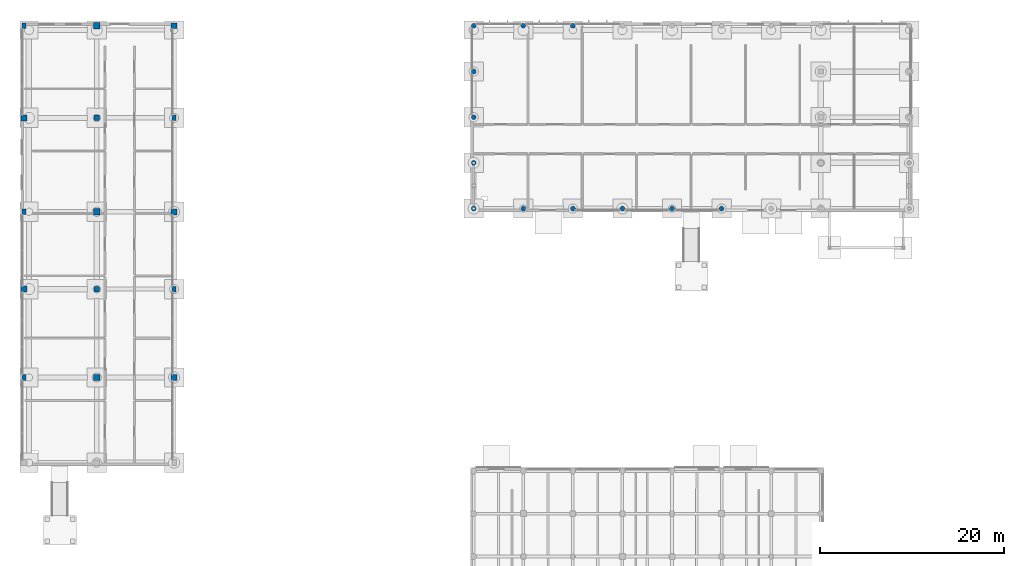
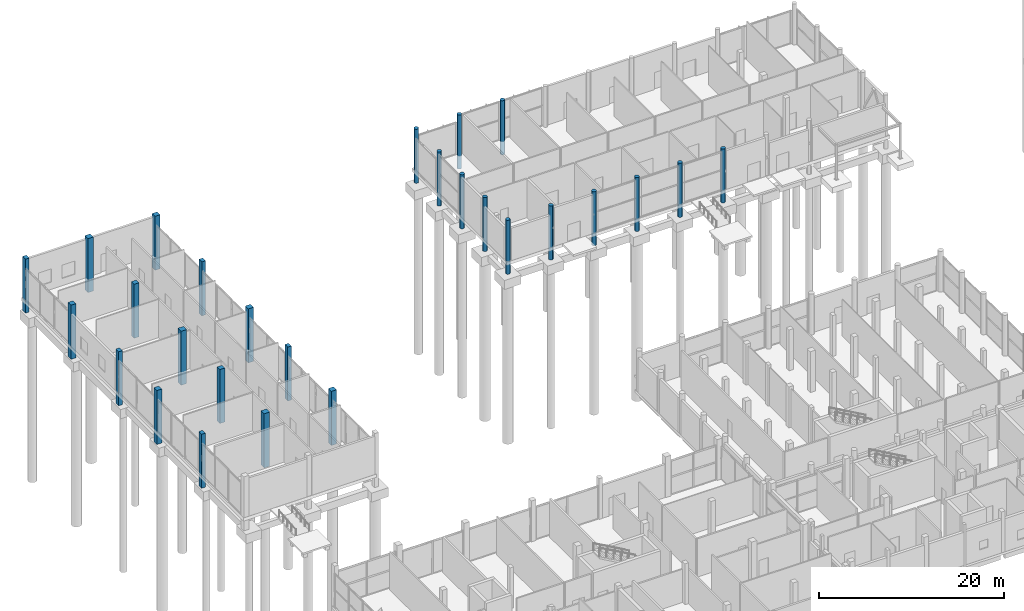
# One storey, part 10 of 88: 27 columns.
"""IFC4 building model written with IfcOpenShell, lengths in metres."""

import ifcopenshell
import ifcopenshell.guid

model = None  # the IFC model being written
_history = None  # IfcOwnerHistory: only IFC2X3 demands one
_inside = {}  # id of a spatial element -> (the spatial element, [elements in it])
_under = {}  # id of a project, library or spatial element -> (it, [spatial elements below it])
_declared = {}  # id of a project -> (the project, [libraries it declares])
_typed = {}  # id of a type object -> (the type object, [elements of that type])
_made_of = {}  # id of a material, layer set ... -> (it, [elements and type objects made of it])


def new_model(schema):
    """Start an empty IFC model of exactly this schema.

    Asked for "IFC4X3", IfcOpenShell would pick the latest addendum, in which some entities
    have other attributes; the version numbers below select the first issue.
    IFC2X3 requires an IfcOwnerHistory on every rooted entity: one is made here for all.
    """
    global model, _history
    if schema == "IFC4X3":
        model = ifcopenshell.file(schema_version=(4, 3, 0, 0))
    else:
        model = ifcopenshell.file(schema=schema)
    _inside.clear()
    _under.clear()
    _declared.clear()
    _typed.clear()
    _made_of.clear()
    _history = None
    if model.schema == "IFC2X3":
        org = make("IfcOrganization", Name="unknown")
        user = make(
            "IfcPersonAndOrganization",
            ThePerson=make("IfcPerson", FamilyName="unknown"),
            TheOrganization=org,
        )
        app = make(
            "IfcApplication",
            ApplicationDeveloper=org,
            Version="unknown",
            ApplicationFullName="unknown",
            ApplicationIdentifier="unknown",
        )
        _history = make(
            "IfcOwnerHistory",
            OwningUser=user,
            OwningApplication=app,
            ChangeAction="ADDED",
            CreationDate=0,
        )
    return model


def make(cls, **values):
    """One entity of the class cls with the attributes given. An attribute that is None is left unset."""
    return model.create_entity(
        cls, **{name: value for name, value in values.items() if value is not None}
    )


def rooted(cls, **values):
    """An entity with a GlobalId (a new one), such as an element, a storey or a relation."""
    return make(cls, GlobalId=ifcopenshell.guid.new(), OwnerHistory=_history, **values)


def si_unit(unit_type, name, prefix=None):
    """IfcSIUnit, for example si_unit("LENGTHUNIT", "METRE", prefix="MILLI")."""
    return make("IfcSIUnit", UnitType=unit_type, Prefix=prefix, Name=name)


def assignment(units):
    """IfcUnitAssignment: the units of a project."""
    return None if units is None else make("IfcUnitAssignment", Units=units)


def point(xyz):
    """IfcCartesianPoint."""
    return None if xyz is None else make("IfcCartesianPoint", Coordinates=xyz)


def direction(xyz):
    """IfcDirection."""
    return None if xyz is None else make("IfcDirection", DirectionRatios=xyz)


def frame(location, z_axis=None, x_axis=None):
    """IfcAxis2Placement3D, a coordinate frame: its origin and axes. An axis left out is left unset."""
    return make(
        "IfcAxis2Placement3D",
        Location=point(location),
        Axis=direction(z_axis),
        RefDirection=direction(x_axis),
    )


def frame_2d(location, x_axis=None):
    """IfcAxis2Placement2D, a coordinate frame in the plane: its origin and x axis."""
    return make(
        "IfcAxis2Placement2D", Location=point(location), RefDirection=direction(x_axis)
    )


def origin():
    """The frame at (0, 0, 0) with its axes left unset."""
    return frame((0.0, 0.0, 0.0))


def origin_2d():
    """The frame at (0, 0) in the plane with its x axis left unset."""
    return frame_2d((0.0, 0.0))


def place(relative_to, where):
    """IfcLocalPlacement: puts the frame where relative to a parent placement (None: the world)."""
    return make(
        "IfcLocalPlacement", PlacementRelTo=relative_to, RelativePlacement=where
    )


def context(
    kind, dimensions, precision=None, world=None, true_north=None, identifier=None
):
    """IfcGeometricRepresentationContext, for example the 3D "Model" context."""
    return make(
        "IfcGeometricRepresentationContext",
        ContextIdentifier=identifier,
        ContextType=kind,
        CoordinateSpaceDimension=dimensions,
        Precision=precision,
        WorldCoordinateSystem=world,
        TrueNorth=true_north,
    )


def subcontext(parent, identifier, kind, view, scale=None):
    """IfcGeometricRepresentationSubContext, for example "Body" below "Model"."""
    return make(
        "IfcGeometricRepresentationSubContext",
        ContextIdentifier=identifier,
        ContextType=kind,
        ParentContext=parent,
        TargetScale=scale,
        TargetView=view,
    )


def project(units=None, contexts=None):
    """IfcProject with its units and contexts."""
    return rooted(
        "IfcProject",
        Name="project",
        RepresentationContexts=contexts,
        UnitsInContext=assignment(units),
    )


def spatial(cls, under=None, at=None, **own):
    """A site, building, storey or space (cls), placed at a placement, below another one or the project."""
    s = rooted(cls, ObjectPlacement=at, **own)
    if under is not None:
        _under.setdefault(under.id(), (under, []))[1].append(s)
    return s


def profile(cls, at=None, kind="AREA", **sizes):
    """A parametric profile (cls). Its sizes go by their IFC names, for example OverallWidth=200.0."""
    return make(cls, ProfileType=kind, Position=at, **sizes)


def rectangle(**sizes):
    """IfcRectangleProfileDef."""
    return profile("IfcRectangleProfileDef", **sizes)


def circle(**sizes):
    """IfcCircleProfileDef."""
    return profile("IfcCircleProfileDef", **sizes)


def extrude(swept, where, along, depth):
    """IfcExtrudedAreaSolid: the profile swept, set in the frame where, extruded along a direction by depth."""
    return make(
        "IfcExtrudedAreaSolid",
        SweptArea=swept,
        Position=where,
        ExtrudedDirection=direction(along),
        Depth=depth,
    )


def shape(context_of_items, identifier, shape_type, items):
    """IfcShapeRepresentation: the items that make up one representation, for example the "Body"."""
    return make(
        "IfcShapeRepresentation",
        ContextOfItems=context_of_items,
        RepresentationIdentifier=identifier,
        RepresentationType=shape_type,
        Items=items,
    )


def material(Name=None, Category=None):
    """IfcMaterial."""
    return make("IfcMaterial", Name=Name, Category=Category)


def material_profile(
    of_material, cross_section, Name=None, Category=None, Priority=None
):
    """IfcMaterialProfile: a cross section and its material."""
    return make(
        "IfcMaterialProfile",
        Name=Name,
        Material=of_material,
        Profile=cross_section,
        Priority=Priority,
        Category=Category,
    )


def profile_set(profiles, Name=None, composite=None):
    """IfcMaterialProfileSet."""
    return make(
        "IfcMaterialProfileSet",
        Name=Name,
        MaterialProfiles=profiles,
        CompositeProfile=composite,
    )


def made_of(thing, what):
    """Note that an element or type object is made of a material, layer set ...; save() writes the relation."""
    if what is not None:
        _made_of.setdefault(what.id(), (what, []))[1].append(thing)
    return thing


def type_object(cls, material=None, **own):
    """A type object (cls), such as IfcWallType, which elements share."""
    return made_of(rooted(cls, **own), material)


def element(
    cls,
    number,
    at=None,
    inside=None,
    cuts=None,
    type_object=None,
    material=None,
    context=None,
    identifier="Body",
    shape_type=None,
    held_by="IfcProductDefinitionShape",
    body=None,
    shapes=None,
    **own,
):
    """One element of the class cls, such as IfcWall. Its Tag is "e" and its number.

    at: its placement. inside: the storey or other place that contains it. cuts: it is an
    opening in that element (IfcRelVoidsElement). A single representation is given by context,
    identifier, shape_type and body (its items); several are given by shapes. held_by: the class
    of the entity that holds the representations. save() writes the other relations.
    """
    e = rooted(cls, Tag="e%d" % number, ObjectPlacement=at, **own)
    if body is not None:
        shapes = [shape(context, identifier, shape_type, body)]
    if shapes is not None:
        e.Representation = make(held_by, Representations=shapes)
    if inside is not None:
        _inside.setdefault(inside.id(), (inside, []))[1].append(e)
    if cuts is not None:
        rooted(
            "IfcRelVoidsElement", RelatingBuildingElement=cuts, RelatedOpeningElement=e
        )
    if type_object is not None:
        _typed.setdefault(type_object.id(), (type_object, []))[1].append(e)
    return made_of(e, material)


def aggregate(whole, parts):
    """IfcRelAggregates: a whole, such as a stair, and the parts it consists of."""
    return rooted("IfcRelAggregates", RelatingObject=whole, RelatedObjects=parts)


def save(model, path):
    """Write the relations noted so far, then the file.

    IfcRelAggregates (storeys below a building ...), IfcRelContainedInSpatialStructure (elements
    in a storey), IfcRelDefinesByType, IfcRelAssociatesMaterial and IfcRelDeclares: one each for
    every whole, place, type object, material and project.
    """
    for whole, parts in _under.values():
        aggregate(whole, parts)
    for where, things in _inside.values():
        rooted(
            "IfcRelContainedInSpatialStructure",
            RelatedElements=things,
            RelatingStructure=where,
        )
    for kind, things in _typed.values():
        rooted("IfcRelDefinesByType", RelatedObjects=things, RelatingType=kind)
    for what, things in _made_of.values():
        rooted("IfcRelAssociatesMaterial", RelatedObjects=things, RelatingMaterial=what)
    for by, libraries in _declared.values():
        rooted("IfcRelDeclares", RelatingContext=by, RelatedDefinitions=libraries)
    model.write(path)


model = new_model("IFC4")

# Units and contexts
model_context = context("Model", 3, precision=1e-05, world=origin(), true_north=direction((0.0, 1.0)))
body_context = subcontext(model_context, "Body", "Model", "MODEL_VIEW")
ifc_project = project(units=[si_unit("LENGTHUNIT", "METRE"), si_unit("AREAUNIT", "SQUARE_METRE"), si_unit("VOLUMEUNIT", "CUBIC_METRE"), si_unit("PLANEANGLEUNIT", "RADIAN"), si_unit("MASSUNIT", "GRAM", prefix="KILO")], contexts=[model_context])

# Site, building, storey
site_placement = place(None, origin())
site = spatial("IfcSite", under=ifc_project, at=site_placement, CompositionType="ELEMENT")
building_placement = place(site_placement, origin())
building = spatial("IfcBuilding", under=site, at=building_placement, Name="Birchvale Park Specialist Clinic", CompositionType="ELEMENT")
storey_placement = place(building_placement, origin())
storey = spatial("IfcBuildingStorey", under=building, at=storey_placement, Name="L00", CompositionType="ELEMENT", Elevation=0.0)

# Columns
ifc_material = material(Name="Concrete C40/50", Category="concrete")
ifc_material_profile_1 = material_profile(ifc_material, rectangle(XDim=0.679931640625, YDim=0.679931640625, at=origin_2d()), Name="RC-680x680")
ifc_profile_set_1 = profile_set([ifc_material_profile_1], Name="Concrete C40/50")
column_type_1 = type_object("IfcColumnType", Name="COL-EXT-C01", PredefinedType="COLUMN", material=ifc_profile_set_1)
column_placement = place(storey_placement, frame((11.199951171875, 111.39990234375, -1.75), z_axis=(0.0, 0.0, 1.0), x_axis=(1.0, 0.0, 0.0)))
element("IfcColumn", 1, at=column_placement, inside=storey, type_object=column_type_1, Name="V2 L00 column 24", PredefinedType="COLUMN", context=body_context, shape_type="SweptSolid", body=[
    extrude(rectangle(XDim=0.679931640625, YDim=0.679931640625, at=origin_2d()), origin(), (0.0, 0.0, 1.0), 7.14990234375),
])
ifc_material_profile_2 = material_profile(ifc_material, rectangle(XDim=0.6298828125, YDim=0.6298828125, at=origin_2d()), Name="RC-630x630")
ifc_profile_set_2 = profile_set([ifc_material_profile_2], Name="Concrete C40/50")
column_type_2 = type_object("IfcColumnType", Name="COL-EXT-C02", PredefinedType="COLUMN", material=ifc_profile_set_2)
for number, where, z_axis, x_axis, name in (
    (2, (3.300048828125, 82.800048828125, -1.75), (0.0, 0.0, 1.0), (1.0, 0.0, 0.0), "V2 L00 column 9"),
    (3, (3.300048828125, 101.39990234375, -1.75), (0.0, 0.0, 1.0), (1.0, 0.0, 0.0), "V2 L00 column 11"),
    (4, (19.60009765625, 111.39990234375, -1.75), (0.0, 0.0, 1.0), (1.0, 0.0, 0.0), "V2 L00 column 36"),
):
    element("IfcColumn", number, at=place(storey_placement, frame(where, z_axis=z_axis, x_axis=x_axis)), inside=storey, type_object=column_type_2, Name=name, PredefinedType="COLUMN", context=body_context, shape_type="SweptSolid", body=[
        extrude(rectangle(XDim=0.6298828125, YDim=0.6298828125, at=origin_2d()), origin(), (0.0, 0.0, 1.0), 7.14990234375),
    ])
ifc_material_profile_3 = material_profile(ifc_material, rectangle(XDim=0.469970703125, YDim=0.6298828125, at=origin_2d()), Name="RC-470x630")
ifc_profile_set_3 = profile_set([ifc_material_profile_3], Name="Concrete C40/50")
column_type_3 = type_object("IfcColumnType", Name="COL-EXT-C09", PredefinedType="COLUMN", material=ifc_profile_set_3)
for number, where, z_axis, x_axis, name in (
    (5, (3.300048828125, 73.199951171875, -1.75), (0.0, 0.0, 1.0), (1.0, 0.0, 0.0), "V2 L00 column 8"),
    (6, (3.300048828125, 91.199951171875, -1.75), (0.0, 0.0, 1.0), (1.0, 0.0, 0.0), "V2 L00 column 10"),
    (7, (3.300048828125, 111.39990234375, -1.75), (0.0, 0.0, 1.0), (1.0, 0.0, 0.0), "V2 L00 column 12"),
):
    element("IfcColumn", number, at=place(storey_placement, frame(where, z_axis=z_axis, x_axis=x_axis)), inside=storey, type_object=column_type_3, Name=name, PredefinedType="COLUMN", context=body_context, shape_type="SweptSolid", body=[
        extrude(rectangle(XDim=0.469970703125, YDim=0.6298828125, at=origin_2d()), origin(), (0.0, 0.0, 1.0), 7.14990234375),
    ])
ifc_material_profile_4 = material_profile(ifc_material, circle(Radius=0.260009765625, at=origin_2d()), Name="RCC-520")
ifc_profile_set_4 = profile_set([ifc_material_profile_4], Name="Concrete C40/50")
column_type_4 = type_object("IfcColumnType", Name="COL-EXT-CC2", PredefinedType="COLUMN", material=ifc_profile_set_4)
for number, where, z_axis, x_axis, name in (
    (8, (52.14990234375, 91.550048828125, -1.75), (0.0, 0.0, 1.0), (1.0, 0.0, 0.0), "V3 L00 column 1"),
    (9, (52.14990234375, 96.512451171875, -1.75), (0.0, 0.0, 1.0), (1.0, 0.0, 0.0), "V3 L00 column 2"),
    (10, (52.14990234375, 101.47509765625, -1.75), (0.0, 0.0, 1.0), (1.0, 0.0, 0.0), "V3 L00 column 3"),
    (11, (52.14990234375, 106.4375, -1.75), (0.0, 0.0, 1.0), (1.0, 0.0, 0.0), "V3 L00 column 4"),
    (12, (52.14990234375, 111.39990234375, -1.75), (0.0, 0.0, 1.0), (1.0, 0.0, 0.0), "V3 L00 column 5"),
    (13, (57.53564453125, 91.550048828125, -1.75), (0.0, 0.0, 1.0), (1.0, 0.0, 0.0), "V3 L00 column 6"),
    (14, (57.53564453125, 111.39990234375, -1.75), (0.0, 0.0, 1.0), (1.0, 0.0, 0.0), "V3 L00 column 7"),
    (15, (62.92138671875, 91.550048828125, -1.75), (0.0, 0.0, 1.0), (1.0, 0.0, 0.0), "V3 L00 column 8"),
    (16, (62.92138671875, 111.39990234375, -1.75), (0.0, 0.0, 1.0), (1.0, 0.0, 0.0), "V3 L00 column 9"),
    (17, (68.30712890625, 91.550048828125, -1.75), (0.0, 0.0, 1.0), (1.0, 0.0, 0.0), "V3 L00 column 10"),
    (18, (73.69287109375, 91.550048828125, -1.75), (0.0, 0.0, 1.0), (1.0, 0.0, 0.0), "V3 L00 column 12"),
    (19, (79.07861328125, 91.550048828125, -1.75), (0.0, 0.0, 1.0), (1.0, 0.0, 0.0), "V3 L00 column 14"),
):
    element("IfcColumn", number, at=place(storey_placement, frame(where, z_axis=z_axis, x_axis=x_axis)), inside=storey, type_object=column_type_4, Name=name, PredefinedType="COLUMN", context=body_context, shape_type="SweptSolid", body=[
        extrude(circle(Radius=0.260009765625, at=origin_2d()), origin(), (0.0, 0.0, 1.0), 7.14990234375),
    ])
ifc_material_profile_5 = material_profile(ifc_material, rectangle(XDim=0.699951171875, YDim=0.699951171875, at=origin_2d()), Name="RC-700x700")
ifc_profile_set_5 = profile_set([ifc_material_profile_5], Name="Concrete C40/50")
column_type_5 = type_object("IfcColumnType", Name="COL-INT-C01", PredefinedType="COLUMN", material=ifc_profile_set_5)
for number, where, z_axis, x_axis, name in (
    (20, (11.199951171875, 73.199951171875, -1.75), (0.0, 0.0, 1.0), (1.0, 0.0, 0.0), "V2 L00 column 20"),
    (21, (11.199951171875, 91.199951171875, -1.75), (0.0, 0.0, 1.0), (1.0, 0.0, 0.0), "V2 L00 column 22"),
):
    element("IfcColumn", number, at=place(storey_placement, frame(where, z_axis=z_axis, x_axis=x_axis)), inside=storey, type_object=column_type_5, Name=name, PredefinedType="COLUMN", context=body_context, shape_type="SweptSolid", body=[
        extrude(rectangle(XDim=0.699951171875, YDim=0.699951171875, at=origin_2d()), origin(), (0.0, 0.0, 1.0), 7.14990234375),
    ])
ifc_material_profile_6 = material_profile(ifc_material, rectangle(XDim=0.64990234375, YDim=0.64990234375, at=origin_2d()), Name="RC-650x650")
ifc_profile_set_6 = profile_set([ifc_material_profile_6], Name="Concrete C40/50")
column_type_6 = type_object("IfcColumnType", Name="COL-INT-C02", PredefinedType="COLUMN", material=ifc_profile_set_6)
for number, where, z_axis, x_axis, name in (
    (22, (19.60009765625, 73.199951171875, -1.75), (0.0, 0.0, 1.0), (1.0, 0.0, 0.0), "V2 L00 column 32"),
    (23, (19.60009765625, 91.199951171875, -1.75), (0.0, 0.0, 1.0), (1.0, 0.0, 0.0), "V2 L00 column 34"),
):
    element("IfcColumn", number, at=place(storey_placement, frame(where, z_axis=z_axis, x_axis=x_axis)), inside=storey, type_object=column_type_6, Name=name, PredefinedType="COLUMN", context=body_context, shape_type="SweptSolid", body=[
        extrude(rectangle(XDim=0.64990234375, YDim=0.64990234375, at=origin_2d()), origin(), (0.0, 0.0, 1.0), 7.14990234375),
    ])
ifc_material_profile_7 = material_profile(ifc_material, rectangle(XDim=0.60009765625, YDim=0.60009765625, at=origin_2d()), Name="RC-600x600")
ifc_profile_set_7 = profile_set([ifc_material_profile_7], Name="Concrete C40/50")
column_type_7 = type_object("IfcColumnType", Name="COL-INT-C03", PredefinedType="COLUMN", material=ifc_profile_set_7)
for number, where, z_axis, x_axis, name in (
    (24, (11.199951171875, 82.800048828125, -1.75), (0.0, 0.0, 1.0), (1.0, 0.0, 0.0), "V2 L00 column 21"),
    (25, (11.199951171875, 101.39990234375, -1.75), (0.0, 0.0, 1.0), (1.0, 0.0, 0.0), "V2 L00 column 23"),
):
    element("IfcColumn", number, at=place(storey_placement, frame(where, z_axis=z_axis, x_axis=x_axis)), inside=storey, type_object=column_type_7, Name=name, PredefinedType="COLUMN", context=body_context, shape_type="SweptSolid", body=[
        extrude(rectangle(XDim=0.60009765625, YDim=0.60009765625, at=origin_2d()), origin(), (0.0, 0.0, 1.0), 7.14990234375),
    ])
ifc_material_profile_8 = material_profile(ifc_material, rectangle(XDim=0.449951171875, YDim=0.60009765625, at=origin_2d()), Name="RC-450x600")
ifc_profile_set_8 = profile_set([ifc_material_profile_8], Name="Concrete C40/50")
column_type_8 = type_object("IfcColumnType", Name="COL-INT-C09", PredefinedType="COLUMN", material=ifc_profile_set_8)
for number, where, z_axis, x_axis, name in (
    (26, (19.60009765625, 82.800048828125, -1.75), (0.0, 0.0, 1.0), (1.0, 0.0, 0.0), "V2 L00 column 33"),
    (27, (19.60009765625, 101.39990234375, -1.75), (0.0, 0.0, 1.0), (1.0, 0.0, 0.0), "V2 L00 column 35"),
):
    element("IfcColumn", number, at=place(storey_placement, frame(where, z_axis=z_axis, x_axis=x_axis)), inside=storey, type_object=column_type_8, Name=name, PredefinedType="COLUMN", context=body_context, shape_type="SweptSolid", body=[
        extrude(rectangle(XDim=0.449951171875, YDim=0.60009765625, at=origin_2d()), origin(), (0.0, 0.0, 1.0), 7.14990234375),
    ])

save(model, "model.ifc")
